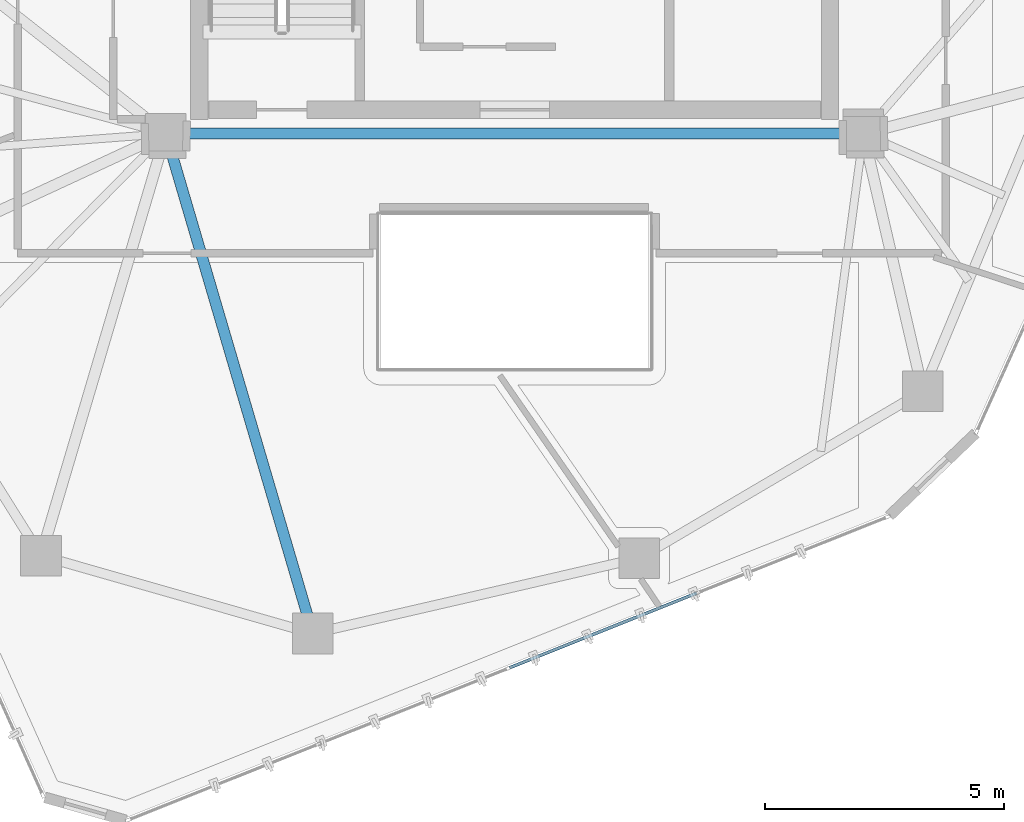
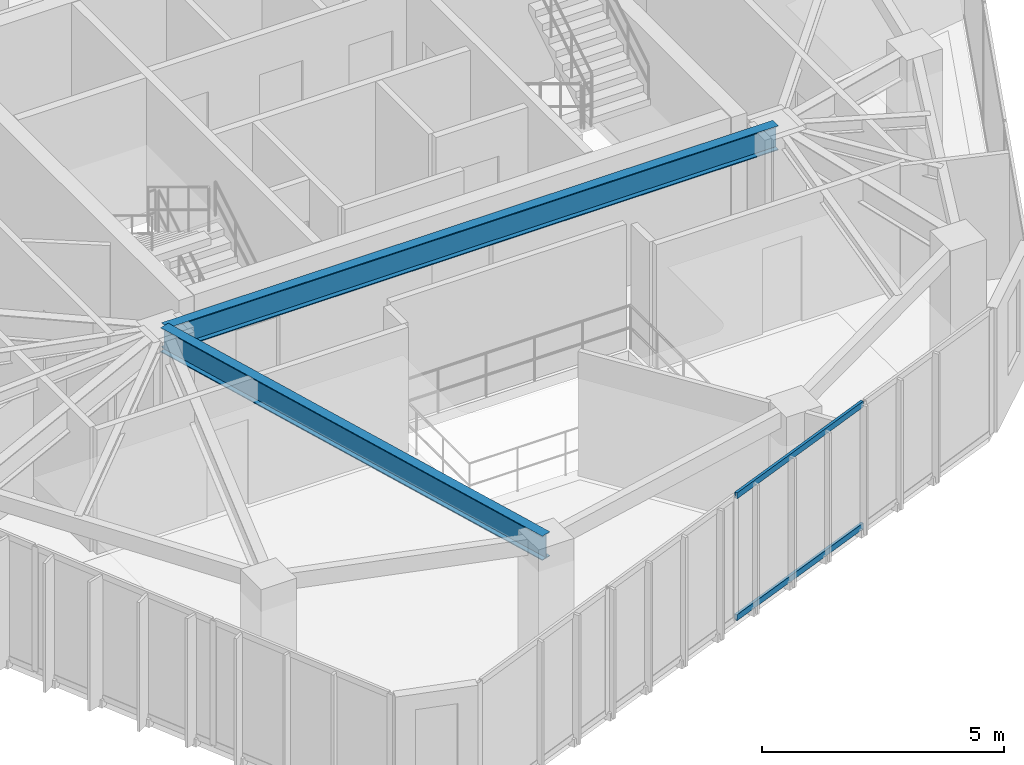
# One storey, part 5 of 20: 2 beams, 2 members, 1 element without a shape of its own.
"""IFC4 building model written with IfcOpenShell, lengths in metres."""

from ifc_helpers import new_model, si_unit, direction, frame, origin, origin_2d, place, context, subcontext, project, spatial, hollow_rectangle, i_section, extrude, source, transform, mapped, material, layer, layer_set, material_profile, profile_set, type_object, type_shapes, element, aggregate, save


model = new_model("IFC4")

# Units and contexts
model_context = context("Model", 3, precision=1e-05, world=origin(), true_north=direction((0.0, 1.0)))
body_context = subcontext(model_context, "Body", "Model", "MODEL_VIEW")
ifc_project = project(units=[si_unit("LENGTHUNIT", "METRE"), si_unit("AREAUNIT", "SQUARE_METRE"), si_unit("VOLUMEUNIT", "CUBIC_METRE"), si_unit("PLANEANGLEUNIT", "RADIAN"), si_unit("MASSUNIT", "GRAM", prefix="KILO")], contexts=[model_context])

# Site, building, storey
site_placement = place(None, origin())
site = spatial("IfcSite", under=ifc_project, at=site_placement, CompositionType="ELEMENT")
building_placement = place(site_placement, origin())
building = spatial("IfcBuilding", under=site, at=building_placement, Name="Talar Marvaseh", CompositionType="ELEMENT")
storey_placement = place(building_placement, frame((0.0, 0.0, 278.199951171875)))
storey = spatial("IfcBuildingStorey", under=building, at=storey_placement, Name="L74", CompositionType="ELEMENT", Elevation=278.199951171875)

# Beams
ifc_material_1 = material(Name="Steel S355", Category="steel")
ifc_material_profile_1 = material_profile(ifc_material_1, i_section(OverallWidth=0.22998046875, OverallDepth=0.616943359375, WebThickness=0.01318359375, FlangeThickness=0.022216796875, at=origin_2d()), Name="W610x140")
ifc_profile_set_1 = profile_set([ifc_material_profile_1], Name="Steel S355")
beam_type = type_object("IfcBeamType", Name="Zone 4 Radial Floor Girder W610x140", PredefinedType="BEAM", material=ifc_profile_set_1)
beam_1_placement = place(storey_placement, frame((18.699951171875, 25.5, 2.83154296875), z_axis=(1.0, 0.0, 0.0), x_axis=(0.0, 1.0, 0.0)))
element("IfcBeam", 1, at=beam_1_placement, inside=storey, type_object=beam_type, Name="L74 Zone 4 Radial Floor Girder W610x140", PredefinedType="BEAM", context=body_context, shape_type="SweptSolid", body=[
    extrude(i_section(OverallWidth=0.22998046875, OverallDepth=0.616943359375, WebThickness=0.01318359375, FlangeThickness=0.022216796875, at=origin_2d()), origin(), (0.0, 0.0, 1.0), 14.60009765625),
])
beam_2_placement = place(storey_placement, frame((21.77587890625, 15.0400390625, 2.83154296875), z_axis=(-0.28212146763, 0.959378693479, 0.0), x_axis=(-0.959378693479, -0.28212146763, 0.0)))
element("IfcBeam", 2, at=beam_2_placement, inside=storey, type_object=beam_type, Name="L74 Zone 4 Radial Floor Girder W610x140", PredefinedType="BEAM", context=body_context, shape_type="SweptSolid", body=[
    extrude(i_section(OverallWidth=0.22998046875, OverallDepth=0.616943359375, WebThickness=0.01318359375, FlangeThickness=0.022216796875, at=origin_2d()), origin(), (0.0, 0.0, 1.0), 10.90283203125),
])

# Curtain wall, members
ifc_material_2 = material(Name="Architectural Aluminium", Category="aluminium")
ifc_layer = layer(ifc_material_2, 0.179931640625)
ifc_layer_set = layer_set([ifc_layer], Name="Architectural Aluminium")
curtain_wall_type = type_object("IfcCurtainWallType", Name="Unitised High-Wind Sky Curtain Wall Z4", PredefinedType="NOTDEFINED", material=ifc_layer_set)
curtain_wall_placement = place(storey_placement, origin())
curtain_wall = element("IfcCurtainWall", 3, at=curtain_wall_placement, inside=storey, type_object=curtain_wall_type, Name="L74 Unitised High-Wind Sky Curtain Wall Z4", PredefinedType="NOTDEFINED")
ifc_material_profile_2 = material_profile(ifc_material_2, hollow_rectangle(XDim=0.06494140625, YDim=0.14990234375, WallThickness=0.00390625, at=origin_2d()), Name="RHS150x65x4")
ifc_profile_set_2 = profile_set([ifc_material_profile_2], Name="Architectural Aluminium")
member_type = type_object("IfcMemberType", Name="Unitised Curtain Wall Slim Transom RHS150x65x4", PredefinedType="USERDEFINED", material=ifc_profile_set_2)
shared_shape = source(origin(), body_context, "Body", "SweptSolid", [
    extrude(hollow_rectangle(XDim=0.06494140625, YDim=0.14990234375, WallThickness=0.00390625, at=origin_2d()), origin(), (0.0, 0.0, 1.0), 4.221435546875),
])
type_shapes(member_type, [shared_shape])
member_1_placement = place(storey_placement, frame((29.8115234375, 15.8857421875, 0.032470703125), z_axis=(-0.928747662325, -0.370712529766, 0.0), x_axis=(0.370712529766, -0.928747662325, 0.0)))
member_1 = element("IfcMember", 4, at=member_1_placement, type_object=member_type, Name="CW-Z4 transom 2.1", ObjectType="TRANSOM", PredefinedType="USERDEFINED", context=body_context, shape_type="MappedRepresentation", body=[
    mapped(shared_shape, transform((0.0, 0.0, 0.0), x_axis=(1.0, 0.0, 0.0), y_axis=(0.0, 1.0, 0.0), z_axis=(0.0, 0.0, 1.0), scale=1.0)),
])
member_2_placement = place(storey_placement, frame((29.8115234375, 15.8857421875, 3.107666015625), z_axis=(-0.928747662325, -0.370712529766, 0.0), x_axis=(0.370712529766, -0.928747662325, 0.0)))
member_2 = element("IfcMember", 5, at=member_2_placement, type_object=member_type, Name="CW-Z4 transom 2.2", ObjectType="TRANSOM", PredefinedType="USERDEFINED", context=body_context, shape_type="MappedRepresentation", body=[
    mapped(shared_shape, transform((0.0, 0.0, 0.0), x_axis=(1.0, 0.0, 0.0), y_axis=(0.0, 1.0, 0.0), z_axis=(0.0, 0.0, 1.0), scale=1.0)),
])
aggregate(curtain_wall, [member_1, member_2])

save(model, "model.ifc")
